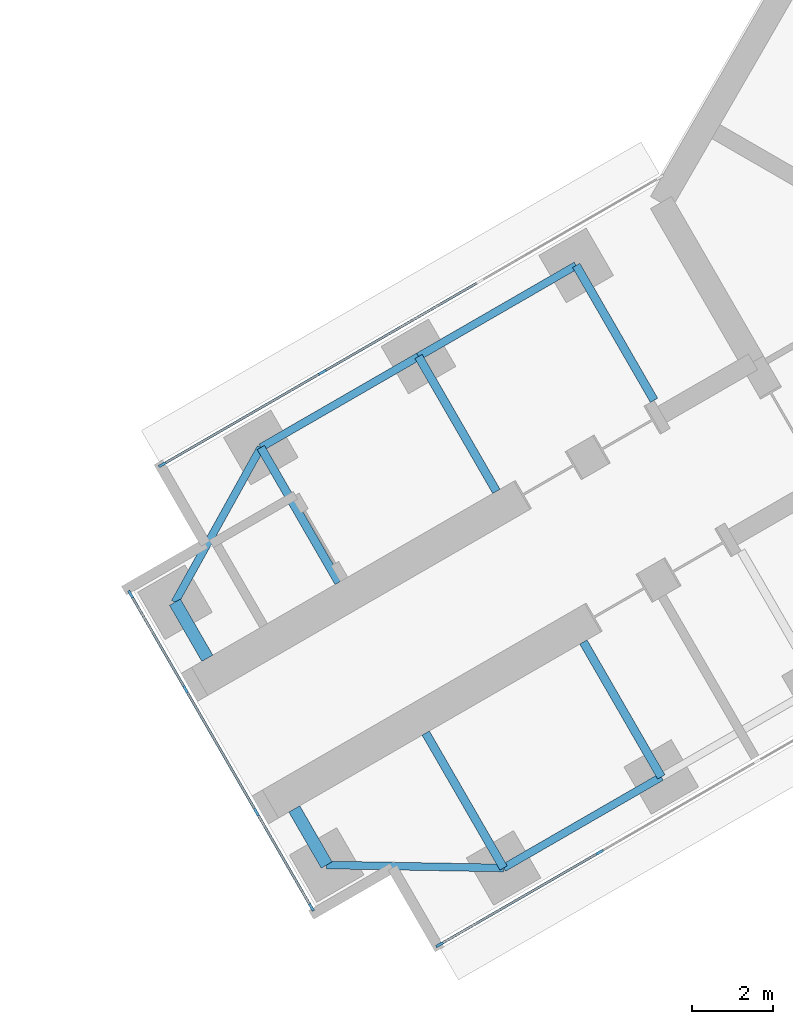
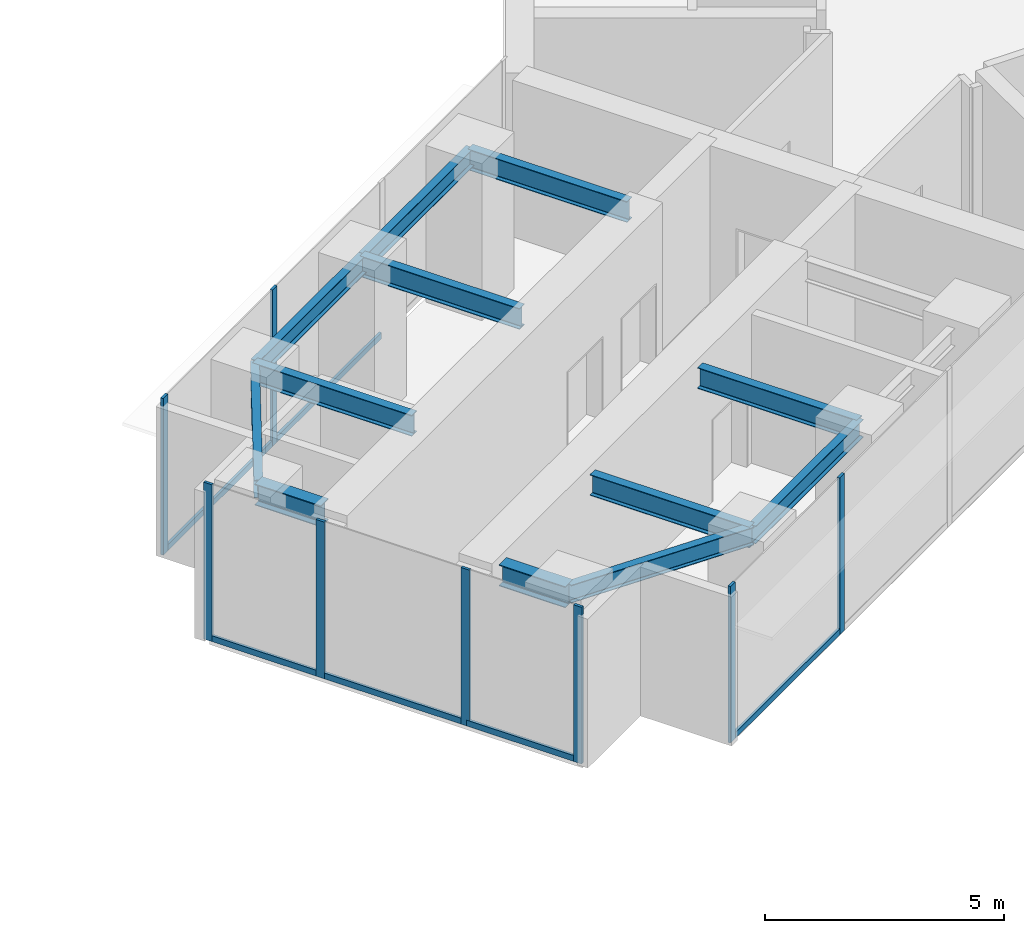
# One storey, part 3 of 21: 14 members, 12 beams, 3 elements without a shape of their own.
"""IFC4 building model written with IfcOpenShell, lengths in metres."""

from ifc_helpers import new_model, si_unit, direction, frame, origin, origin_2d, place, context, subcontext, project, spatial, rectangle, i_section, extrude, material, material_profile, profile_set, type_object, element, aggregate, save


model = new_model("IFC4")

# Units and contexts
model_context = context("Model", 3, precision=1e-05, world=origin(), true_north=direction((0.0, 1.0)))
body_context = subcontext(model_context, "Body", "Model", "MODEL_VIEW")
ifc_project = project(units=[si_unit("LENGTHUNIT", "METRE"), si_unit("AREAUNIT", "SQUARE_METRE"), si_unit("VOLUMEUNIT", "CUBIC_METRE"), si_unit("PLANEANGLEUNIT", "RADIAN"), si_unit("MASSUNIT", "GRAM", prefix="KILO")], contexts=[model_context])

# Site, building, storey
site_placement = place(None, origin())
site = spatial("IfcSite", under=ifc_project, at=site_placement, CompositionType="ELEMENT")
building_placement = place(site_placement, origin())
building = spatial("IfcBuilding", under=site, at=building_placement, Name="Upepo Twin Towers", CompositionType="ELEMENT")
storey_placement = place(building_placement, frame((0.0, 0.0, 105.5)))
storey = spatial("IfcBuildingStorey", under=building, at=storey_placement, Name="L25", CompositionType="ELEMENT", Elevation=105.5)

# Beams
ifc_material_1 = material(Name="Steel S355", Category="steel")
ifc_material_profile_1 = material_profile(ifc_material_1, i_section(OverallWidth=0.1904296875, OverallDepth=0.45703125, WebThickness=0.009033203125, FlangeThickness=0.014404296875, FilletRadius=0.01025390625, at=origin_2d()), Name="UB 457x191x74")
ifc_profile_set_1 = profile_set([ifc_material_profile_1], Name="Steel S355")
beam_type_1 = type_object("IfcBeamType", Name="Beam UB 457x191x74", PredefinedType="BEAM", material=ifc_profile_set_1)
beam_1_placement = place(storey_placement, frame((45.91162109375, -32.196044921875, 3.571533203125), z_axis=(-0.866031096941, -0.499990139034, 0.0), x_axis=(0.499990139034, -0.866031096941, 0.0)))
element("IfcBeam", 1, at=beam_1_placement, inside=storey, type_object=beam_type_1, Name="T2 edge beam BL 18.0-22.5", PredefinedType="BEAM", context=body_context, shape_type="SweptSolid", body=[
    extrude(i_section(OverallWidth=0.1904296875, OverallDepth=0.45703125, WebThickness=0.009033203125, FlangeThickness=0.014404296875, FilletRadius=0.01025390625, at=origin_2d()), origin(), (0.0, 0.0, 1.0), 4.5),
])
beam_2_placement = place(storey_placement, frame((42.014404296875, -34.446044921875, 3.571533203125), z_axis=(-0.999858804832, 0.016803880528, 0.0), x_axis=(-0.016803880528, -0.999858804832, 0.0)))
element("IfcBeam", 2, at=beam_2_placement, inside=storey, type_object=beam_type_1, Name="T2 nose edge beam BL", PredefinedType="BEAM", context=body_context, shape_type="SweptSolid", body=[
    extrude(i_section(OverallWidth=0.1904296875, OverallDepth=0.45703125, WebThickness=0.009033203125, FlangeThickness=0.014404296875, FilletRadius=0.01025390625, at=origin_2d()), origin(), (0.0, 0.0, 1.0), 4.373291015625),
])
beam_3_placement = place(storey_placement, frame((43.80859375, -19.553955078125, 3.571533203125), z_axis=(-0.866017533419, -0.500013631625, 0.0), x_axis=(0.500013631625, -0.866017533419, 0.0)))
element("IfcBeam", 3, at=beam_3_placement, inside=storey, type_object=beam_type_1, Name="T2 edge beam BR 13.5-18.0", PredefinedType="BEAM", context=body_context, shape_type="SweptSolid", body=[
    extrude(i_section(OverallWidth=0.1904296875, OverallDepth=0.45703125, WebThickness=0.009033203125, FlangeThickness=0.014404296875, FilletRadius=0.01025390625, at=origin_2d()), origin(), (0.0, 0.0, 1.0), 4.499755859375),
])
beam_4_placement = place(storey_placement, frame((39.91162109375, -21.803955078125, 3.571533203125), z_axis=(-0.866031096941, -0.499990139034, 0.0), x_axis=(0.499990139034, -0.866031096941, 0.0)))
element("IfcBeam", 4, at=beam_4_placement, inside=storey, type_object=beam_type_1, Name="T2 edge beam BR 18.0-22.5", PredefinedType="BEAM", context=body_context, shape_type="SweptSolid", body=[
    extrude(i_section(OverallWidth=0.1904296875, OverallDepth=0.45703125, WebThickness=0.009033203125, FlangeThickness=0.014404296875, FilletRadius=0.01025390625, at=origin_2d()), origin(), (0.0, 0.0, 1.0), 4.5),
])
beam_5_placement = place(storey_placement, frame((36.014404296875, -24.053955078125, 3.571533203125), z_axis=(-0.485363242752, -0.874312600038, 0.0), x_axis=(0.874312600038, -0.485363242752, 0.0)))
element("IfcBeam", 5, at=beam_5_placement, inside=storey, type_object=beam_type_1, Name="T2 nose edge beam BR", PredefinedType="BEAM", context=body_context, shape_type="SweptSolid", body=[
    extrude(i_section(OverallWidth=0.1904296875, OverallDepth=0.45703125, WebThickness=0.009033203125, FlangeThickness=0.014404296875, FilletRadius=0.01025390625, at=origin_2d()), origin(), (0.0, 0.0, 1.0), 4.373046875),
])
ifc_material_2 = material(Name="Steel S355", Category="steel")
ifc_material_profile_2 = material_profile(ifc_material_2, i_section(OverallWidth=0.209228515625, OverallDepth=0.533203125, WebThickness=0.010009765625, FlangeThickness=0.015625, FilletRadius=0.0126953125, at=origin_2d()), Name="UB 533x210x92")
ifc_profile_set_2 = profile_set([ifc_material_profile_2], Name="Steel S355")
beam_type_2 = type_object("IfcBeamType", Name="Beam UB 533x210x92", PredefinedType="BEAM", material=ifc_profile_set_2)
for number, where, z_axis, x_axis, name in (
    (6, (45.91162109375, -32.196044921875, 3.533447265625), (-0.500033517596, 0.866006051527, 0.0), (-0.866006051527, -0.500033517596, 0.0), "T2 girder BL at 18.0"),
    (7, (42.014404296875, -34.446044921875, 3.533447265625), (-0.500033517596, 0.866006051527, 0.0), (-0.866006051527, -0.500033517596, 0.0), "T2 girder BL at 22.5"),
    (8, (43.80859375, -19.553955078125, 3.533447265625), (0.500033517596, -0.866006051527, 0.0), (0.866006051527, 0.500033517596, 0.0), "T2 girder BR at 13.5"),
):
    element("IfcBeam", number, at=place(storey_placement, frame(where, z_axis=z_axis, x_axis=x_axis)), inside=storey, type_object=beam_type_2, Name=name, PredefinedType="BEAM", context=body_context, shape_type="SweptSolid", body=[
        extrude(i_section(OverallWidth=0.209228515625, OverallDepth=0.533203125, WebThickness=0.010009765625, FlangeThickness=0.015625, FilletRadius=0.0126953125, at=origin_2d()), origin(), (0.0, 0.0, 1.0), 3.849853515625),
    ])
beam_6_placement = place(storey_placement, frame((39.91162109375, -21.803955078125, 3.533447265625), z_axis=(0.499985955615, -0.866033512162, 0.0), x_axis=(0.866033512162, 0.499985955615, 0.0)))
element("IfcBeam", 9, at=beam_6_placement, inside=storey, type_object=beam_type_2, Name="T2 girder BR at 18.0", PredefinedType="BEAM", context=body_context, shape_type="SweptSolid", body=[
    extrude(i_section(OverallWidth=0.209228515625, OverallDepth=0.533203125, WebThickness=0.010009765625, FlangeThickness=0.015625, FilletRadius=0.0126953125, at=origin_2d()), origin(), (0.0, 0.0, 1.0), 3.849609375),
])
beam_7_placement = place(storey_placement, frame((36.014404296875, -24.053955078125, 3.533447265625), z_axis=(0.500033517596, -0.866006051527, 0.0), x_axis=(0.866006051527, 0.500033517596, 0.0)))
element("IfcBeam", 10, at=beam_7_placement, inside=storey, type_object=beam_type_2, Name="T2 girder BR at 22.5", PredefinedType="BEAM", context=body_context, shape_type="SweptSolid", body=[
    extrude(i_section(OverallWidth=0.209228515625, OverallDepth=0.533203125, WebThickness=0.010009765625, FlangeThickness=0.015625, FilletRadius=0.0126953125, at=origin_2d()), origin(), (0.0, 0.0, 1.0), 3.849853515625),
])
ifc_material_3 = material(Name="Steel S355", Category="steel")
ifc_material_profile_3 = material_profile(ifc_material_3, i_section(OverallWidth=0.31201171875, OverallDepth=0.54345703125, WebThickness=0.0126953125, FlangeThickness=0.020263671875, FilletRadius=0.0126953125, at=origin_2d()), Name="UB 533x312x150")
ifc_profile_set_3 = profile_set([ifc_material_profile_3], Name="Steel S355")
beam_type_3 = type_object("IfcBeamType", Name="Beam UB 533x312x150", PredefinedType="BEAM", material=ifc_profile_set_3)
for number, where, z_axis, x_axis, name in (
    (11, (37.641845703125, -34.37255859375, 3.5283203125), (-0.500061482766, 0.865989903783, 0.0), (-0.865989903783, -0.500061482766, 0.0), "T2 nose beam BL"),
    (12, (33.891845703125, -27.87744140625, 3.5283203125), (0.500061482766, -0.865989903783, 0.0), (0.865989903783, 0.500061482766, 0.0), "T2 nose beam BR"),
):
    element("IfcBeam", number, at=place(storey_placement, frame(where, z_axis=z_axis, x_axis=x_axis)), inside=storey, type_object=beam_type_3, Name=name, PredefinedType="BEAM", context=body_context, shape_type="SweptSolid", body=[
        extrude(i_section(OverallWidth=0.31201171875, OverallDepth=0.54345703125, WebThickness=0.0126953125, FlangeThickness=0.020263671875, FilletRadius=0.0126953125, at=origin_2d()), origin(), (0.0, 0.0, 1.0), 1.599853515625),
    ])

# Curtain wall, members
ifc_material_4 = material(Name="Aluminium and fritted glass", Category="aluminium")
curtain_wall_type = type_object("IfcCurtainWallType", Name="Tower curtain wall TW2, fritted glass", PredefinedType="NOTDEFINED", material=ifc_material_4)
curtain_wall_1_placement = place(storey_placement, origin())
curtain_wall_1 = element("IfcCurtainWall", 13, at=curtain_wall_1_placement, inside=storey, type_object=curtain_wall_type, Name="T2 L25 wing B flank L curtain wall", PredefinedType="NOTDEFINED")
ifc_material_5 = material(Name="Aluminium mullion", Category="aluminium")
ifc_material_profile_4 = material_profile(ifc_material_5, rectangle(XDim=0.06494140625, YDim=0.199951171875, at=origin_2d()), Name="MULLION 65x200")
ifc_profile_set_4 = profile_set([ifc_material_profile_4], Name="Aluminium mullion")
member_type_1 = type_object("IfcMemberType", Name="Mullion 65x200 TW2", PredefinedType="MULLION", material=ifc_profile_set_4)
member_1_placement = place(storey_placement, frame((44.387939453125, -34.057373046875, 0.0), z_axis=(0.0, 0.0, 1.0), x_axis=(0.500000010308, -0.866025397833, 0.0)))
member_1 = element("IfcMember", 14, at=member_1_placement, type_object=member_type_1, Name="T2 L25 wing B flank L curtain wall mullion 3", PredefinedType="MULLION", context=body_context, shape_type="SweptSolid", body=[
    extrude(rectangle(XDim=0.06494140625, YDim=0.199951171875, at=origin_2d()), origin(), (0.0, 0.0, 1.0), 4.0),
])
member_2_placement = place(storey_placement, frame((40.432373046875, -36.341064453125, 0.0), z_axis=(0.0, 0.0, 1.0), x_axis=(0.500000010308, -0.866025397833, 0.0)))
member_2 = element("IfcMember", 15, at=member_2_placement, type_object=member_type_1, Name="T2 L25 wing B flank L curtain wall mullion 4", PredefinedType="MULLION", context=body_context, shape_type="SweptSolid", body=[
    extrude(rectangle(XDim=0.06494140625, YDim=0.199951171875, at=origin_2d()), origin(), (0.0, 0.0, 1.0), 4.0),
])

curtain_wall_2_placement = place(storey_placement, origin())
curtain_wall_2 = element("IfcCurtainWall", 16, at=curtain_wall_2_placement, inside=storey, type_object=curtain_wall_type, Name="T2 L25 wing B flank R curtain wall", PredefinedType="NOTDEFINED")
member_3_placement = place(storey_placement, frame((33.58251953125, -24.4765625, 0.0), z_axis=(0.0, 0.0, 1.0), x_axis=(-0.500000010308, 0.866025397833, 0.0)))
member_3 = element("IfcMember", 17, at=member_3_placement, type_object=member_type_1, Name="T2 L25 wing B flank R curtain wall mullion 1", PredefinedType="MULLION", context=body_context, shape_type="SweptSolid", body=[
    extrude(rectangle(XDim=0.06494140625, YDim=0.199951171875, at=origin_2d()), origin(), (0.0, 0.0, 1.0), 4.0),
])
member_4_placement = place(storey_placement, frame((37.5380859375, -22.192626953125, 0.0), z_axis=(0.0, 0.0, 1.0), x_axis=(-0.500000010308, 0.866025397833, 0.0)))
member_4 = element("IfcMember", 18, at=member_4_placement, type_object=member_type_1, Name="T2 L25 wing B flank R curtain wall mullion 2", PredefinedType="MULLION", context=body_context, shape_type="SweptSolid", body=[
    extrude(rectangle(XDim=0.06494140625, YDim=0.199951171875, at=origin_2d()), origin(), (0.0, 0.0, 1.0), 4.0),
])

curtain_wall_3_placement = place(storey_placement, origin())
curtain_wall_3 = element("IfcCurtainWall", 19, at=curtain_wall_3_placement, inside=storey, type_object=curtain_wall_type, Name="T2 L25 wing B nose curtain wall", PredefinedType="NOTDEFINED")
member_5_placement = place(storey_placement, frame((32.796875, -27.68115234375, 0.0), z_axis=(0.0, 0.0, 1.0), x_axis=(0.866025386174, 0.500000030502, 0.0)))
member_5 = element("IfcMember", 20, at=member_5_placement, type_object=member_type_1, Name="T2 L25 wing B nose curtain wall mullion 1", PredefinedType="MULLION", context=body_context, shape_type="SweptSolid", body=[
    extrude(rectangle(XDim=0.06494140625, YDim=0.199951171875, at=origin_2d()), origin(), (0.0, 0.0, 1.0), 4.0),
])
member_6_placement = place(storey_placement, frame((34.15576171875, -30.034423828125, 0.0), z_axis=(0.0, 0.0, 1.0), x_axis=(0.866025386174, 0.500000030502, 0.0)))
member_6 = element("IfcMember", 21, at=member_6_placement, type_object=member_type_1, Name="T2 L25 wing B nose curtain wall mullion 2", PredefinedType="MULLION", context=body_context, shape_type="SweptSolid", body=[
    extrude(rectangle(XDim=0.06494140625, YDim=0.199951171875, at=origin_2d()), origin(), (0.0, 0.0, 1.0), 4.0),
])
member_7_placement = place(storey_placement, frame((35.90576171875, -33.0654296875, 0.0), z_axis=(0.0, 0.0, 1.0), x_axis=(0.866025386174, 0.500000030502, 0.0)))
member_7 = element("IfcMember", 22, at=member_7_placement, type_object=member_type_1, Name="T2 L25 wing B nose curtain wall mullion 3", PredefinedType="MULLION", context=body_context, shape_type="SweptSolid", body=[
    extrude(rectangle(XDim=0.06494140625, YDim=0.199951171875, at=origin_2d()), origin(), (0.0, 0.0, 1.0), 4.0),
])
member_8_placement = place(storey_placement, frame((37.264404296875, -35.4189453125, 0.0), z_axis=(0.0, 0.0, 1.0), x_axis=(0.866025386174, 0.500000030502, 0.0)))
member_8 = element("IfcMember", 23, at=member_8_placement, type_object=member_type_1, Name="T2 L25 wing B nose curtain wall mullion 4", PredefinedType="MULLION", context=body_context, shape_type="SweptSolid", body=[
    extrude(rectangle(XDim=0.06494140625, YDim=0.199951171875, at=origin_2d()), origin(), (0.0, 0.0, 1.0), 4.0),
])

# Member
ifc_material_6 = material(Name="Aluminium transom", Category="aluminium")
ifc_material_profile_5 = material_profile(ifc_material_6, rectangle(XDim=0.06494140625, YDim=0.14990234375, at=origin_2d()), Name="TRANSOM 65x150")
ifc_profile_set_5 = profile_set([ifc_material_profile_5], Name="Aluminium transom")
member_type_2 = type_object("IfcMemberType", Name="Transom 65x150 TW2", PredefinedType="USERDEFINED", material=ifc_profile_set_5)
member_9_placement = place(storey_placement, frame((44.35986328125, -34.073486328125, 0.074951171875), z_axis=(-0.866035699072, -0.499982167615, 0.0), x_axis=(0.499982167615, -0.866035699072, 0.0)))
member_9 = element("IfcMember", 24, at=member_9_placement, type_object=member_type_2, Name="T2 L25 wing B flank L curtain wall transom 3", ObjectType="TRANSOM", PredefinedType="USERDEFINED", context=body_context, shape_type="SweptSolid", body=[
    extrude(rectangle(XDim=0.06494140625, YDim=0.14990234375, at=origin_2d()), origin(), (0.0, 0.0, 1.0), 4.502685546875),
])

aggregate(curtain_wall_1, [member_1, member_2, member_9])

member_10_placement = place(storey_placement, frame((33.610595703125, -24.460205078125, 0.074951171875), z_axis=(0.866022143554, 0.500005646842, 0.0), x_axis=(-0.500005646842, 0.866022143554, 0.0)))
member_10 = element("IfcMember", 25, at=member_10_placement, type_object=member_type_2, Name="T2 L25 wing B flank R curtain wall transom 1", ObjectType="TRANSOM", PredefinedType="USERDEFINED", context=body_context, shape_type="SweptSolid", body=[
    extrude(rectangle(XDim=0.06494140625, YDim=0.14990234375, at=origin_2d()), origin(), (0.0, 0.0, 1.0), 4.50244140625),
])

member_11_placement = place(storey_placement, frame((37.566162109375, -22.176513671875, 0.074951171875), z_axis=(0.866022410713, 0.500005184116, 0.0), x_axis=(-0.500005184116, 0.866022410713, 0.0)))
member_11 = element("IfcMember", 26, at=member_11_placement, type_object=member_type_2, Name="T2 L25 wing B flank R curtain wall transom 2", ObjectType="TRANSOM", PredefinedType="USERDEFINED", context=body_context, shape_type="SweptSolid", body=[
    extrude(rectangle(XDim=0.06494140625, YDim=0.14990234375, at=origin_2d()), origin(), (0.0, 0.0, 1.0), 4.43505859375),
])

aggregate(curtain_wall_2, [member_3, member_4, member_10, member_11])

member_12_placement = place(storey_placement, frame((32.813232421875, -27.709228515625, 0.074951171875), z_axis=(0.499980071345, -0.866036909293, 0.0), x_axis=(0.866036909293, 0.499980071345, 0.0)))
member_12 = element("IfcMember", 27, at=member_12_placement, type_object=member_type_2, Name="T2 L25 wing B nose curtain wall transom 1", ObjectType="TRANSOM", PredefinedType="USERDEFINED", context=body_context, shape_type="SweptSolid", body=[
    extrude(rectangle(XDim=0.06494140625, YDim=0.14990234375, at=origin_2d()), origin(), (0.0, 0.0, 1.0), 2.65234375),
])

member_13_placement = place(storey_placement, frame((34.171875, -30.0625, 0.074951171875), z_axis=(0.499999305434, -0.866025804792, 0.0), x_axis=(0.866025804792, 0.499999305434, 0.0)))
member_13 = element("IfcMember", 28, at=member_13_placement, type_object=member_type_2, Name="T2 L25 wing B nose curtain wall transom 2", ObjectType="TRANSOM", PredefinedType="USERDEFINED", context=body_context, shape_type="SweptSolid", body=[
    extrude(rectangle(XDim=0.06494140625, YDim=0.14990234375, at=origin_2d()), origin(), (0.0, 0.0, 1.0), 3.43505859375),
])

member_14_placement = place(storey_placement, frame((35.921875, -33.09375, 0.074951171875), z_axis=(0.500049101008, -0.865997053448, 0.0), x_axis=(0.865997053448, 0.500049101008, 0.0)))
member_14 = element("IfcMember", 29, at=member_14_placement, type_object=member_type_2, Name="T2 L25 wing B nose curtain wall transom 3", ObjectType="TRANSOM", PredefinedType="USERDEFINED", context=body_context, shape_type="SweptSolid", body=[
    extrude(rectangle(XDim=0.06494140625, YDim=0.14990234375, at=origin_2d()), origin(), (0.0, 0.0, 1.0), 2.652587890625),
])

aggregate(curtain_wall_3, [member_5, member_6, member_7, member_8, member_12, member_13, member_14])

save(model, "model.ifc")
